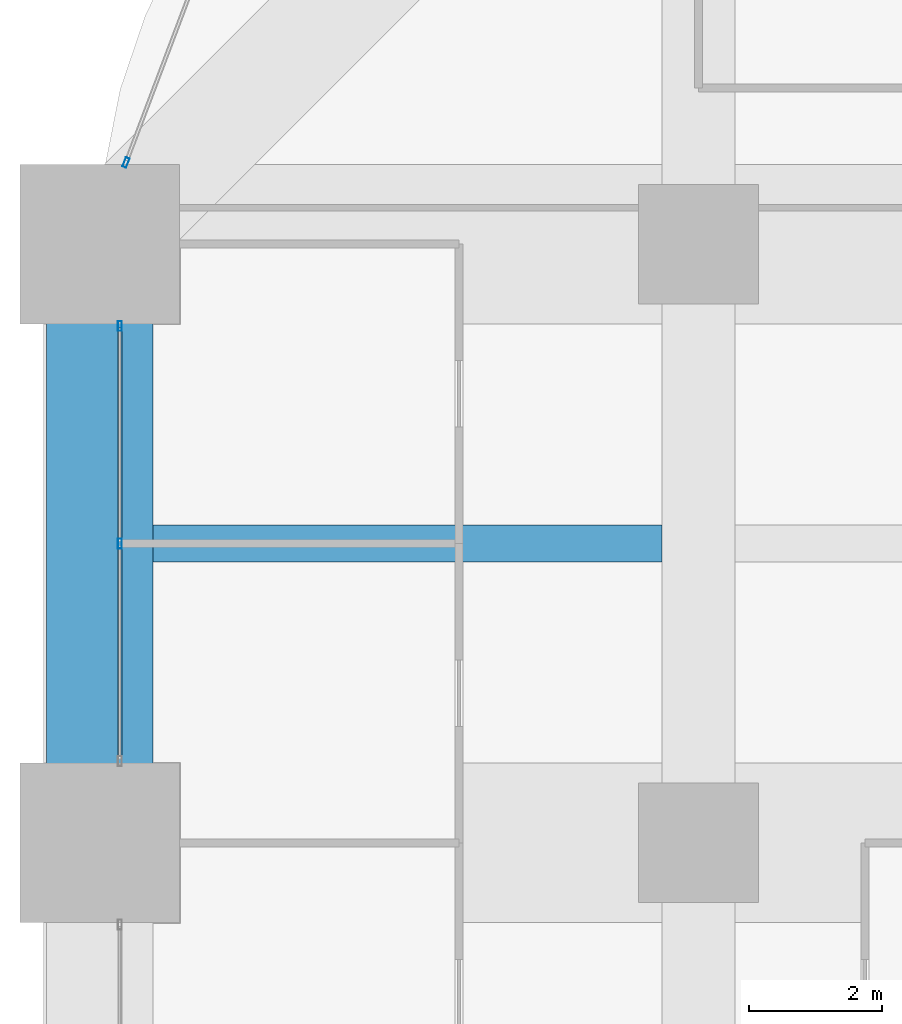
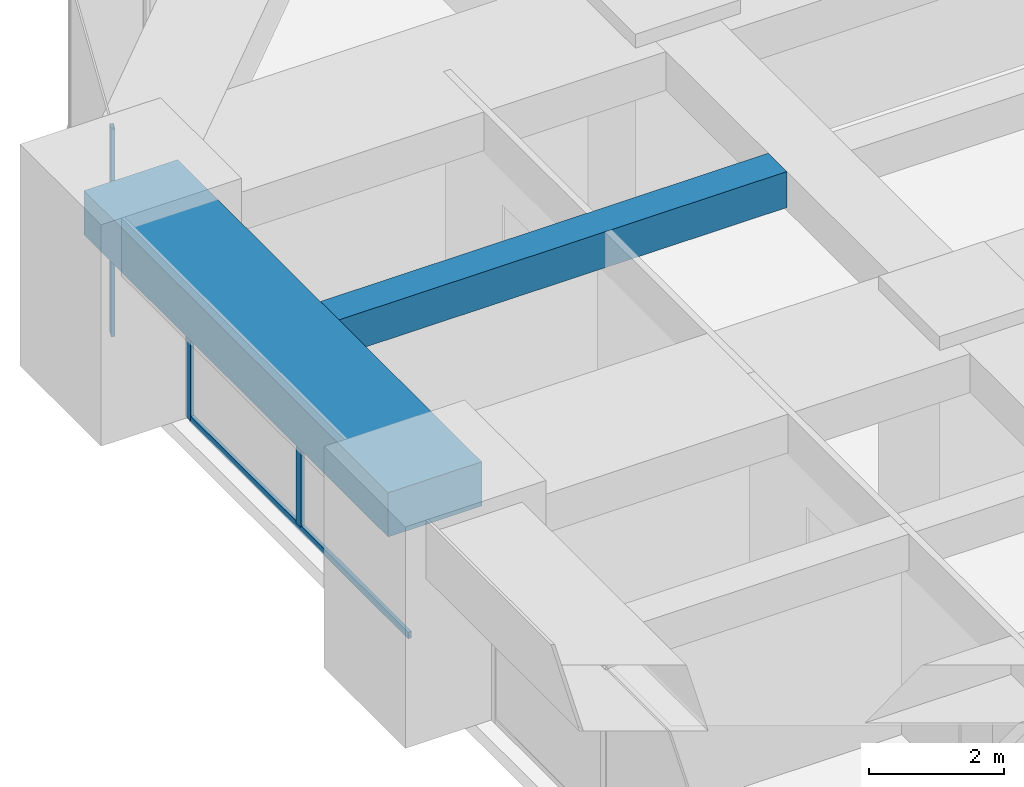
# One storey, part 24 of 43: 4 members, 2 beams, 2 elements without a shape of their own.
"""IFC4 building model written with IfcOpenShell, lengths in metres."""

from ifc_helpers import new_model, si_unit, direction, frame, origin, origin_2d, place, context, subcontext, project, spatial, rectangle, hollow_rectangle, extrude, material, material_profile, profile_set, type_object, element, aggregate, save


model = new_model("IFC4")

# Units and contexts
model_context = context("Model", 3, precision=1e-05, world=origin(), true_north=direction((0.0, 1.0)))
body_context = subcontext(model_context, "Body", "Model", "MODEL_VIEW")
ifc_project = project(units=[si_unit("LENGTHUNIT", "METRE"), si_unit("AREAUNIT", "SQUARE_METRE"), si_unit("VOLUMEUNIT", "CUBIC_METRE"), si_unit("PLANEANGLEUNIT", "RADIAN"), si_unit("MASSUNIT", "GRAM", prefix="KILO")], contexts=[model_context])

# Site, building, storey
site_placement = place(None, origin())
site = spatial("IfcSite", under=ifc_project, at=site_placement, CompositionType="ELEMENT")
building_placement = place(site_placement, origin())
building = spatial("IfcBuilding", under=site, at=building_placement, Name="Zorevar Civic Tower", CompositionType="ELEMENT")
storey_placement = place(building_placement, frame((0.0, 0.0, 145.0)))
storey = spatial("IfcBuildingStorey", under=building, at=storey_placement, Name="L35", CompositionType="ELEMENT", Elevation=145.0)

# Beam
ifc_material_1 = material(Name="Concrete C50/60", Category="concrete")
ifc_material_profile_1 = material_profile(ifc_material_1, rectangle(XDim=0.550048828125, YDim=0.64990234375, at=origin_2d()), Name="RC 550x650")
ifc_profile_set_1 = profile_set([ifc_material_profile_1], Name="Concrete C50/60")
beam_type_1 = type_object("IfcBeamType", Name="Beam RC 550x650", PredefinedType="BEAM", material=ifc_profile_set_1)
beam_1_placement = place(storey_placement, frame((0.800048828125, 31.5, 3.425048828125), z_axis=(1.0, 0.0, 0.0), x_axis=(0.0, 1.0, 0.0)))
element("IfcBeam", 1, at=beam_1_placement, inside=storey, type_object=beam_type_1, Name="Secondary beam L36", PredefinedType="BEAM", context=body_context, shape_type="SweptSolid", body=[
    extrude(rectangle(XDim=0.550048828125, YDim=0.64990234375, at=origin_2d()), origin(), (0.0, 0.0, 1.0), 7.64990234375),
])

# Curtain wall, members
ifc_material_2 = material(Name="Dark grey solar-control glass in black aluminium frame", Category="aluminium")
curtain_wall_type = type_object("IfcCurtainWallType", Name="Curtain wall CW3 mid zone", PredefinedType="NOTDEFINED", material=ifc_material_2)
curtain_wall_1_placement = place(storey_placement, origin())
curtain_wall_1 = element("IfcCurtainWall", 2, at=curtain_wall_1_placement, inside=storey, type_object=curtain_wall_type, Name="CW3 L35", PredefinedType="NOTDEFINED")
ifc_material_3 = material(Name="Aluminium, black anodised", Category="aluminium")
ifc_material_profile_2 = material_profile(ifc_material_3, hollow_rectangle(XDim=0.06005859375, YDim=0.14990234375, WallThickness=0.00390625, at=origin_2d()), Name="AL 150x60x4")
ifc_profile_set_2 = profile_set([ifc_material_profile_2], Name="Aluminium, black anodised")
member_type_1 = type_object("IfcMemberType", Name="CW3 mullion AL 150x60x4", PredefinedType="MULLION", material=ifc_profile_set_2)
member_1_placement = place(storey_placement, frame((0.300048828125, 31.5, 0.06005859375), z_axis=(0.0, 0.0, 1.0), x_axis=(-1.0, 0.0, 0.0)))
member_1 = element("IfcMember", 3, at=member_1_placement, type_object=member_type_1, Name="CW3 mullion 2", PredefinedType="MULLION", context=body_context, shape_type="SweptSolid", body=[
    extrude(hollow_rectangle(XDim=0.06005859375, YDim=0.14990234375, WallThickness=0.00390625, at=origin_2d()), origin(), (0.0, 0.0, 1.0), 2.889892578125),
])
member_2_placement = place(storey_placement, frame((0.300048828125, 34.77001953125, 0.0), z_axis=(0.0, 0.0, 1.0), x_axis=(-1.0, 0.0, 0.0)))
member_2 = element("IfcMember", 4, at=member_2_placement, type_object=member_type_1, Name="CW3 mullion 3", PredefinedType="MULLION", context=body_context, shape_type="SweptSolid", body=[
    extrude(hollow_rectangle(XDim=0.06005859375, YDim=0.14990234375, WallThickness=0.00390625, at=origin_2d()), origin(), (0.0, 0.0, 1.0), 2.949951171875),
])

# Curtain wall, member
curtain_wall_2_placement = place(storey_placement, origin())
curtain_wall_2 = element("IfcCurtainWall", 5, at=curtain_wall_2_placement, inside=storey, type_object=curtain_wall_type, Name="CW3 L35", PredefinedType="NOTDEFINED")
member_3_placement = place(storey_placement, frame((0.393798828125, 37.22802734375, 0.0), z_axis=(0.0, 0.0, 1.0), x_axis=(0.935276561184, -0.353917722218, 0.0)))
member_3 = element("IfcMember", 6, at=member_3_placement, type_object=member_type_1, Name="CW3 mullion 2", PredefinedType="MULLION", context=body_context, shape_type="SweptSolid", body=[
    extrude(hollow_rectangle(XDim=0.06005859375, YDim=0.14990234375, WallThickness=0.00390625, at=origin_2d()), origin(), (0.0, 0.0, 1.0), 3.75),
])
aggregate(curtain_wall_2, [member_3])

# Member
ifc_material_4 = material(Name="Aluminium, black anodised", Category="aluminium")
ifc_material_profile_3 = material_profile(ifc_material_4, hollow_rectangle(XDim=0.06005859375, YDim=0.1201171875, WallThickness=0.0029296875, at=origin_2d()), Name="AL 120x60x3")
ifc_profile_set_3 = profile_set([ifc_material_profile_3], Name="Aluminium, black anodised")
member_type_2 = type_object("IfcMemberType", Name="CW3 transom AL 120x60x3", PredefinedType="USERDEFINED", material=ifc_profile_set_3)
member_4_placement = place(storey_placement, frame((0.300048828125, 28.260009765625, 0.030029296875), z_axis=(0.0, 1.0, 0.0), x_axis=(-1.0, 0.0, 0.0)))
member_4 = element("IfcMember", 7, at=member_4_placement, type_object=member_type_2, Name="CW3 sill transom", ObjectType="TRANSOM", PredefinedType="USERDEFINED", context=body_context, shape_type="SweptSolid", body=[
    extrude(hollow_rectangle(XDim=0.06005859375, YDim=0.1201171875, WallThickness=0.0029296875, at=origin_2d()), origin(), (0.0, 0.0, 1.0), 6.47998046875),
])

aggregate(curtain_wall_1, [member_1, member_2, member_4])

# Beam
ifc_material_5 = material(Name="Concrete C50/60", Category="concrete")
ifc_material_profile_4 = material_profile(ifc_material_5, rectangle(XDim=1.60009765625, YDim=0.800048828125, at=origin_2d()), Name="RC 1600x800")
ifc_profile_set_4 = profile_set([ifc_material_profile_4], Name="Concrete C50/60")
beam_type_2 = type_object("IfcBeamType", Name="Edge beam RC 1600x800", PredefinedType="SPANDREL", material=ifc_profile_set_4)
beam_2_placement = place(storey_placement, frame((0.0, 27.0, 3.35009765625), z_axis=(0.0, 1.0, 0.0), x_axis=(-1.0, 0.0, 0.0)))
element("IfcBeam", 8, at=beam_2_placement, inside=storey, type_object=beam_type_2, Name="Edge beam L36", PredefinedType="SPANDREL", context=body_context, shape_type="SweptSolid", body=[
    extrude(rectangle(XDim=1.60009765625, YDim=0.800048828125, at=origin_2d()), origin(), (0.0, 0.0, 1.0), 9.0),
])

save(model, "model.ifc")
